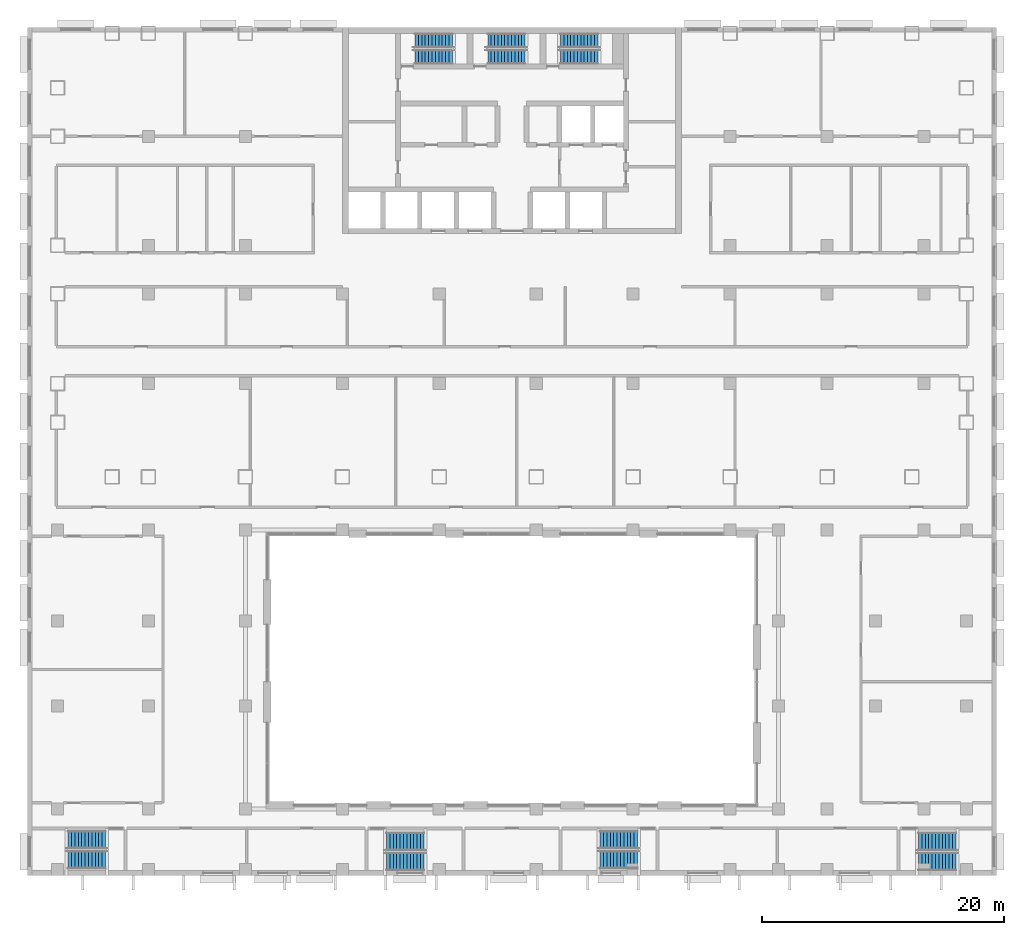
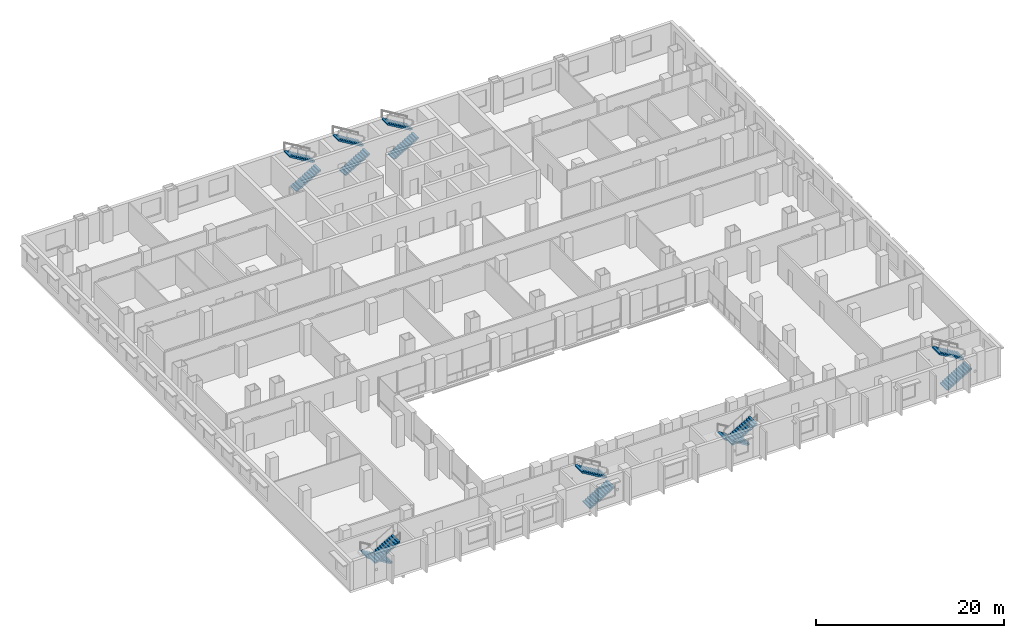
# One storey, part 17 of 25: 14 stair flights, 7 elements without a shape of their own.
"""IFC4 building model written with IfcOpenShell, lengths in metres."""

from ifc_helpers import new_model, si_unit, direction, frame, origin, place, context, subcontext, project, spatial, polyline, outline, extrude, material, type_object, element, aggregate, save


model = new_model("IFC4")

# Units and contexts
model_context = context("Model", 3, precision=1e-05, world=origin(), true_north=direction((0.0, 1.0)))
body_context = subcontext(model_context, "Body", "Model", "MODEL_VIEW")
ifc_project = project(units=[si_unit("LENGTHUNIT", "METRE"), si_unit("AREAUNIT", "SQUARE_METRE"), si_unit("VOLUMEUNIT", "CUBIC_METRE"), si_unit("PLANEANGLEUNIT", "RADIAN"), si_unit("MASSUNIT", "GRAM", prefix="KILO")], contexts=[model_context])

# Site, building, storey
site_placement = place(None, origin())
site = spatial("IfcSite", under=ifc_project, at=site_placement, CompositionType="ELEMENT")
building_placement = place(site_placement, origin())
building = spatial("IfcBuilding", under=site, at=building_placement, Name="Vidyagriha Tower", CompositionType="ELEMENT")
storey_placement = place(building_placement, frame((0.0, 0.0, 10.0)))
storey = spatial("IfcBuildingStorey", under=building, at=storey_placement, Name="L02", CompositionType="ELEMENT", Elevation=10.0)

# Stair, stair flights
ifc_material_1 = material(Name="Concrete C40/50", Category="concrete")
stair_type_1 = type_object("IfcStairType", Name="Exit stair, half-turn, precast flights", PredefinedType="HALF_TURN_STAIR", material=ifc_material_1)
stair_1_placement = place(storey_placement, origin())
stair_1 = element("IfcStair", 1, at=stair_1_placement, inside=storey, type_object=stair_type_1, Name="L02 Exit Stair ST1", PredefinedType="HALF_TURN_STAIR")
ifc_material_2 = material(Name="Precast concrete C40/50", Category="concrete")
stair_flight_type_1 = type_object("IfcStairFlightType", Name="Exit stair flight 1200 mm, precast", PredefinedType="STRAIGHT", material=ifc_material_2)
stair_flight_1_placement = place(storey_placement, frame((-8.0, 17.550048828125, 0.0)))
stair_flight_1 = element("IfcStairFlight", 2, at=stair_flight_1_placement, type_object=stair_flight_type_1, Name="ST1 flight 1", NumberOfRisers=12, NumberOfTreads=11, PredefinedType="STRAIGHT", RiserHeight=0.166666667, TreadLength=0.28, context=body_context, shape_type="SweptSolid", body=[
    extrude(outline(polyline([(0.0, 0.0), (0.0, 0.166748046875), (0.280029296875, 0.166748046875), (0.280029296875, 0.333251953125), (0.56005859375, 0.333251953125), (0.56005859375, 0.5), (0.840087890625, 0.5), (0.840087890625, 0.666748046875), (1.1201171875, 0.666748046875), (1.1201171875, 0.833251953125), (1.39990234375, 0.833251953125), (1.39990234375, 1.0), (1.679931640625, 1.0), (1.679931640625, 1.166748046875), (1.9599609375, 1.166748046875), (1.9599609375, 1.333251953125), (2.239990234375, 1.333251953125), (2.239990234375, 1.5), (2.52001953125, 1.5), (2.52001953125, 1.666748046875), (2.800048828125, 1.666748046875), (2.800048828125, 1.833251953125), (3.080078125, 1.833251953125), (3.080078125, 2.0), (3.080078125, 1.658935546875), (0.29296875, 0.0), (0.0, 0.0)])), frame((0.0, 0.60009765625, 0.0), z_axis=(0.0, -1.0, 0.0), x_axis=(1.0, 0.0, 0.0)), (0.0, 0.0, 1.0), 1.199951171875),
])
stair_flight_2_placement = place(storey_placement, frame((-4.919921875, 18.89990234375, 2.0), z_axis=(0.0, 0.0, 1.0), x_axis=(-1.0, 0.0, 0.0)))
stair_flight_2 = element("IfcStairFlight", 3, at=stair_flight_2_placement, type_object=stair_flight_type_1, Name="ST1 flight 2", NumberOfRisers=12, NumberOfTreads=11, PredefinedType="STRAIGHT", RiserHeight=0.166666667, TreadLength=0.28, context=body_context, shape_type="SweptSolid", body=[
    extrude(outline(polyline([(0.0, 0.0), (0.0, 0.166748046875), (0.280029296875, 0.166748046875), (0.280029296875, 0.333251953125), (0.56005859375, 0.333251953125), (0.56005859375, 0.5), (0.840087890625, 0.5), (0.840087890625, 0.666748046875), (1.1201171875, 0.666748046875), (1.1201171875, 0.833251953125), (1.39990234375, 0.833251953125), (1.39990234375, 1.0), (1.679931640625, 1.0), (1.679931640625, 1.166748046875), (1.9599609375, 1.166748046875), (1.9599609375, 1.333251953125), (2.239990234375, 1.333251953125), (2.239990234375, 1.5), (2.52001953125, 1.5), (2.52001953125, 1.666748046875), (2.800048828125, 1.666748046875), (2.800048828125, 1.833251953125), (3.080078125, 1.833251953125), (3.080078125, 2.0), (3.080078125, 1.658935546875), (0.29296875, 0.0), (0.0, 0.0)])), frame((0.0, 0.60009765625, 0.0), z_axis=(0.0, -1.0, 0.0), x_axis=(1.0, 0.0, 0.0)), (0.0, 0.0, 1.0), 1.199951171875),
])
aggregate(stair_1, [stair_flight_1, stair_flight_2])

stair_2_placement = place(storey_placement, origin())
stair_2 = element("IfcStair", 4, at=stair_2_placement, inside=storey, type_object=stair_type_1, Name="L02 Exit Stair ST2", PredefinedType="HALF_TURN_STAIR")
stair_flight_3_placement = place(storey_placement, frame((-2.0, 17.550048828125, 0.0)))
stair_flight_3 = element("IfcStairFlight", 5, at=stair_flight_3_placement, type_object=stair_flight_type_1, Name="ST2 flight 1", NumberOfRisers=12, NumberOfTreads=11, PredefinedType="STRAIGHT", RiserHeight=0.166666667, TreadLength=0.28, context=body_context, shape_type="SweptSolid", body=[
    extrude(outline(polyline([(0.0, 0.0), (0.0, 0.166748046875), (0.280029296875, 0.166748046875), (0.280029296875, 0.333251953125), (0.56005859375, 0.333251953125), (0.56005859375, 0.5), (0.840087890625, 0.5), (0.840087890625, 0.666748046875), (1.1201171875, 0.666748046875), (1.1201171875, 0.833251953125), (1.39990234375, 0.833251953125), (1.39990234375, 1.0), (1.679931640625, 1.0), (1.679931640625, 1.166748046875), (1.9599609375, 1.166748046875), (1.9599609375, 1.333251953125), (2.239990234375, 1.333251953125), (2.239990234375, 1.5), (2.52001953125, 1.5), (2.52001953125, 1.666748046875), (2.800048828125, 1.666748046875), (2.800048828125, 1.833251953125), (3.080078125, 1.833251953125), (3.080078125, 2.0), (3.080078125, 1.658935546875), (0.29296875, 0.0), (0.0, 0.0)])), frame((0.0, 0.60009765625, 0.0), z_axis=(0.0, -1.0, 0.0), x_axis=(1.0, 0.0, 0.0)), (0.0, 0.0, 1.0), 1.199951171875),
])
stair_flight_4_placement = place(storey_placement, frame((1.080078125, 18.89990234375, 2.0), z_axis=(0.0, 0.0, 1.0), x_axis=(-1.0, 0.0, 0.0)))
stair_flight_4 = element("IfcStairFlight", 6, at=stair_flight_4_placement, type_object=stair_flight_type_1, Name="ST2 flight 2", NumberOfRisers=12, NumberOfTreads=11, PredefinedType="STRAIGHT", RiserHeight=0.166666667, TreadLength=0.28, context=body_context, shape_type="SweptSolid", body=[
    extrude(outline(polyline([(0.0, 0.0), (0.0, 0.166748046875), (0.280029296875, 0.166748046875), (0.280029296875, 0.333251953125), (0.56005859375, 0.333251953125), (0.56005859375, 0.5), (0.840087890625, 0.5), (0.840087890625, 0.666748046875), (1.1201171875, 0.666748046875), (1.1201171875, 0.833251953125), (1.39990234375, 0.833251953125), (1.39990234375, 1.0), (1.679931640625, 1.0), (1.679931640625, 1.166748046875), (1.9599609375, 1.166748046875), (1.9599609375, 1.333251953125), (2.239990234375, 1.333251953125), (2.239990234375, 1.5), (2.52001953125, 1.5), (2.52001953125, 1.666748046875), (2.800048828125, 1.666748046875), (2.800048828125, 1.833251953125), (3.080078125, 1.833251953125), (3.080078125, 2.0), (3.080078125, 1.658935546875), (0.29296875, 0.0), (0.0, 0.0)])), frame((0.0, 0.60009765625, 0.0), z_axis=(0.0, -1.0, 0.0), x_axis=(1.0, 0.0, 0.0)), (0.0, 0.0, 1.0), 1.199951171875),
])
aggregate(stair_2, [stair_flight_3, stair_flight_4])

stair_3_placement = place(storey_placement, origin())
stair_3 = element("IfcStair", 7, at=stair_3_placement, inside=storey, type_object=stair_type_1, Name="L02 Exit Stair ST3", PredefinedType="HALF_TURN_STAIR")
stair_flight_5_placement = place(storey_placement, frame((4.0, 17.550048828125, 0.0)))
stair_flight_5 = element("IfcStairFlight", 8, at=stair_flight_5_placement, type_object=stair_flight_type_1, Name="ST3 flight 1", NumberOfRisers=12, NumberOfTreads=11, PredefinedType="STRAIGHT", RiserHeight=0.166666667, TreadLength=0.28, context=body_context, shape_type="SweptSolid", body=[
    extrude(outline(polyline([(0.0, 0.0), (0.0, 0.166748046875), (0.280029296875, 0.166748046875), (0.280029296875, 0.333251953125), (0.56005859375, 0.333251953125), (0.56005859375, 0.5), (0.840087890625, 0.5), (0.840087890625, 0.666748046875), (1.1201171875, 0.666748046875), (1.1201171875, 0.833251953125), (1.39990234375, 0.833251953125), (1.39990234375, 1.0), (1.679931640625, 1.0), (1.679931640625, 1.166748046875), (1.9599609375, 1.166748046875), (1.9599609375, 1.333251953125), (2.239990234375, 1.333251953125), (2.239990234375, 1.5), (2.52001953125, 1.5), (2.52001953125, 1.666748046875), (2.800048828125, 1.666748046875), (2.800048828125, 1.833251953125), (3.080078125, 1.833251953125), (3.080078125, 2.0), (3.080078125, 1.658935546875), (0.29296875, 0.0), (0.0, 0.0)])), frame((0.0, 0.60009765625, 0.0), z_axis=(0.0, -1.0, 0.0), x_axis=(1.0, 0.0, 0.0)), (0.0, 0.0, 1.0), 1.199951171875),
])
stair_flight_6_placement = place(storey_placement, frame((7.080078125, 18.89990234375, 2.0), z_axis=(0.0, 0.0, 1.0), x_axis=(-1.0, 0.0, 0.0)))
stair_flight_6 = element("IfcStairFlight", 9, at=stair_flight_6_placement, type_object=stair_flight_type_1, Name="ST3 flight 2", NumberOfRisers=12, NumberOfTreads=11, PredefinedType="STRAIGHT", RiserHeight=0.166666667, TreadLength=0.28, context=body_context, shape_type="SweptSolid", body=[
    extrude(outline(polyline([(0.0, 0.0), (0.0, 0.166748046875), (0.280029296875, 0.166748046875), (0.280029296875, 0.333251953125), (0.56005859375, 0.333251953125), (0.56005859375, 0.5), (0.840087890625, 0.5), (0.840087890625, 0.666748046875), (1.1201171875, 0.666748046875), (1.1201171875, 0.833251953125), (1.39990234375, 0.833251953125), (1.39990234375, 1.0), (1.679931640625, 1.0), (1.679931640625, 1.166748046875), (1.9599609375, 1.166748046875), (1.9599609375, 1.333251953125), (2.239990234375, 1.333251953125), (2.239990234375, 1.5), (2.52001953125, 1.5), (2.52001953125, 1.666748046875), (2.800048828125, 1.666748046875), (2.800048828125, 1.833251953125), (3.080078125, 1.833251953125), (3.080078125, 2.0), (3.080078125, 1.658935546875), (0.29296875, 0.0), (0.0, 0.0)])), frame((0.0, 0.60009765625, 0.0), z_axis=(0.0, -1.0, 0.0), x_axis=(1.0, 0.0, 0.0)), (0.0, 0.0, 1.0), 1.199951171875),
])
aggregate(stair_3, [stair_flight_5, stair_flight_6])

ifc_material_3 = material(Name="Concrete C32/40", Category="concrete")
stair_type_2 = type_object("IfcStairType", Name="Podium Exit Stair 1500", PredefinedType="HALF_TURN_STAIR", material=ifc_material_3)
stair_4_placement = place(storey_placement, origin())
stair_4 = element("IfcStair", 10, at=stair_4_placement, inside=storey, type_object=stair_type_2, Name="L02 Exit Stair PS1", PredefinedType="HALF_TURN_STAIR")
ifc_material_4 = material(Name="Concrete C32/40", Category="concrete")
stair_flight_type_2 = type_object("IfcStairFlightType", Name="Podium Stair Flight 1500", PredefinedType="STRAIGHT", material=ifc_material_4)
stair_flight_7_placement = place(storey_placement, frame((-33.544921875, -47.050048828125, 0.0), z_axis=(0.0, 0.0, 1.0), x_axis=(-1.0, 0.0, 0.0)))
stair_flight_7 = element("IfcStairFlight", 11, at=stair_flight_7_placement, type_object=stair_flight_type_2, Name="PS1 flight 1", NumberOfRisers=12, NumberOfTreads=11, PredefinedType="STRAIGHT", RiserHeight=0.166666667, TreadLength=0.28, context=body_context, shape_type="SweptSolid", body=[
    extrude(outline(polyline([(0.0, 0.0), (0.0, 0.166748046875), (0.280029296875, 0.166748046875), (0.280029296875, 0.333251953125), (0.56005859375, 0.333251953125), (0.56005859375, 0.5), (0.840087890625, 0.5), (0.840087890625, 0.666748046875), (1.1201171875, 0.666748046875), (1.1201171875, 0.833251953125), (1.39990234375, 0.833251953125), (1.39990234375, 1.0), (1.679931640625, 1.0), (1.679931640625, 1.166748046875), (1.9599609375, 1.166748046875), (1.9599609375, 1.333251953125), (2.239990234375, 1.333251953125), (2.239990234375, 1.5), (2.52001953125, 1.5), (2.52001953125, 1.666748046875), (2.800048828125, 1.666748046875), (2.800048828125, 1.833251953125), (3.080078125, 1.833251953125), (3.080078125, 2.0), (3.080078125, 1.658935546875), (0.29296875, 0.0), (0.0, 0.0)])), frame((0.0, 0.75, 0.0), z_axis=(0.0, -1.0, 0.0), x_axis=(1.0, 0.0, 0.0)), (0.0, 0.0, 1.0), 1.5),
])
stair_flight_8_placement = place(storey_placement, frame((-36.625, -48.699951171875, 2.0)))
stair_flight_8 = element("IfcStairFlight", 12, at=stair_flight_8_placement, type_object=stair_flight_type_2, Name="PS1 flight 2", NumberOfRisers=12, NumberOfTreads=11, PredefinedType="STRAIGHT", RiserHeight=0.166666667, TreadLength=0.28, context=body_context, shape_type="SweptSolid", body=[
    extrude(outline(polyline([(0.0, 0.0), (0.0, 0.166748046875), (0.280029296875, 0.166748046875), (0.280029296875, 0.333251953125), (0.56005859375, 0.333251953125), (0.56005859375, 0.5), (0.840087890625, 0.5), (0.840087890625, 0.666748046875), (1.1201171875, 0.666748046875), (1.1201171875, 0.833251953125), (1.39990234375, 0.833251953125), (1.39990234375, 1.0), (1.679931640625, 1.0), (1.679931640625, 1.166748046875), (1.9599609375, 1.166748046875), (1.9599609375, 1.333251953125), (2.239990234375, 1.333251953125), (2.239990234375, 1.5), (2.52001953125, 1.5), (2.52001953125, 1.666748046875), (2.800048828125, 1.666748046875), (2.800048828125, 1.833251953125), (3.080078125, 1.833251953125), (3.080078125, 2.0), (3.080078125, 1.658935546875), (0.29296875, 0.0), (0.0, 0.0)])), frame((0.0, 0.75, 0.0), z_axis=(0.0, -1.0, 0.0), x_axis=(1.0, 0.0, 0.0)), (0.0, 0.0, 1.0), 1.5),
])
aggregate(stair_4, [stair_flight_7, stair_flight_8])

stair_5_placement = place(storey_placement, origin())
stair_5 = element("IfcStair", 13, at=stair_5_placement, inside=storey, type_object=stair_type_2, Name="L02 Exit Stair PS2", PredefinedType="HALF_TURN_STAIR")
stair_flight_9_placement = place(storey_placement, frame((33.544921875, -48.85009765625, 0.0)))
stair_flight_9 = element("IfcStairFlight", 14, at=stair_flight_9_placement, type_object=stair_flight_type_2, Name="PS2 flight 1", NumberOfRisers=12, NumberOfTreads=11, PredefinedType="STRAIGHT", RiserHeight=0.166666667, TreadLength=0.28, context=body_context, shape_type="SweptSolid", body=[
    extrude(outline(polyline([(0.0, 0.0), (0.0, 0.166748046875), (0.280029296875, 0.166748046875), (0.280029296875, 0.333251953125), (0.56005859375, 0.333251953125), (0.56005859375, 0.5), (0.840087890625, 0.5), (0.840087890625, 0.666748046875), (1.1201171875, 0.666748046875), (1.1201171875, 0.833251953125), (1.39990234375, 0.833251953125), (1.39990234375, 1.0), (1.679931640625, 1.0), (1.679931640625, 1.166748046875), (1.9599609375, 1.166748046875), (1.9599609375, 1.333251953125), (2.239990234375, 1.333251953125), (2.239990234375, 1.5), (2.52001953125, 1.5), (2.52001953125, 1.666748046875), (2.800048828125, 1.666748046875), (2.800048828125, 1.833251953125), (3.080078125, 1.833251953125), (3.080078125, 2.0), (3.080078125, 1.658935546875), (0.29296875, 0.0), (0.0, 0.0)])), frame((0.0, 0.75, 0.0), z_axis=(0.0, -1.0, 0.0), x_axis=(1.0, 0.0, 0.0)), (0.0, 0.0, 1.0), 1.5),
])
stair_flight_10_placement = place(storey_placement, frame((36.625, -47.199951171875, 2.0), z_axis=(0.0, 0.0, 1.0), x_axis=(-1.0, 0.0, 0.0)))
stair_flight_10 = element("IfcStairFlight", 15, at=stair_flight_10_placement, type_object=stair_flight_type_2, Name="PS2 flight 2", NumberOfRisers=12, NumberOfTreads=11, PredefinedType="STRAIGHT", RiserHeight=0.166666667, TreadLength=0.28, context=body_context, shape_type="SweptSolid", body=[
    extrude(outline(polyline([(0.0, 0.0), (0.0, 0.166748046875), (0.280029296875, 0.166748046875), (0.280029296875, 0.333251953125), (0.56005859375, 0.333251953125), (0.56005859375, 0.5), (0.840087890625, 0.5), (0.840087890625, 0.666748046875), (1.1201171875, 0.666748046875), (1.1201171875, 0.833251953125), (1.39990234375, 0.833251953125), (1.39990234375, 1.0), (1.679931640625, 1.0), (1.679931640625, 1.166748046875), (1.9599609375, 1.166748046875), (1.9599609375, 1.333251953125), (2.239990234375, 1.333251953125), (2.239990234375, 1.5), (2.52001953125, 1.5), (2.52001953125, 1.666748046875), (2.800048828125, 1.666748046875), (2.800048828125, 1.833251953125), (3.080078125, 1.833251953125), (3.080078125, 2.0), (3.080078125, 1.658935546875), (0.29296875, 0.0), (0.0, 0.0)])), frame((0.0, 0.75, 0.0), z_axis=(0.0, -1.0, 0.0), x_axis=(1.0, 0.0, 0.0)), (0.0, 0.0, 1.0), 1.5),
])
aggregate(stair_5, [stair_flight_9, stair_flight_10])

stair_6_placement = place(storey_placement, origin())
stair_6 = element("IfcStair", 16, at=stair_6_placement, inside=storey, type_object=stair_type_2, Name="L02 Exit Stair PS3", PredefinedType="HALF_TURN_STAIR")
stair_flight_11_placement = place(storey_placement, frame((-10.35498046875, -48.85009765625, 0.0)))
stair_flight_11 = element("IfcStairFlight", 17, at=stair_flight_11_placement, type_object=stair_flight_type_2, Name="PS3 flight 1", NumberOfRisers=12, NumberOfTreads=11, PredefinedType="STRAIGHT", RiserHeight=0.166666667, TreadLength=0.28, context=body_context, shape_type="SweptSolid", body=[
    extrude(outline(polyline([(0.0, 0.0), (0.0, 0.166748046875), (0.280029296875, 0.166748046875), (0.280029296875, 0.333251953125), (0.56005859375, 0.333251953125), (0.56005859375, 0.5), (0.840087890625, 0.5), (0.840087890625, 0.666748046875), (1.1201171875, 0.666748046875), (1.1201171875, 0.833251953125), (1.39990234375, 0.833251953125), (1.39990234375, 1.0), (1.679931640625, 1.0), (1.679931640625, 1.166748046875), (1.9599609375, 1.166748046875), (1.9599609375, 1.333251953125), (2.239990234375, 1.333251953125), (2.239990234375, 1.5), (2.52001953125, 1.5), (2.52001953125, 1.666748046875), (2.800048828125, 1.666748046875), (2.800048828125, 1.833251953125), (3.080078125, 1.833251953125), (3.080078125, 2.0), (3.080078125, 1.658935546875), (0.29296875, 0.0), (0.0, 0.0)])), frame((0.0, 0.75, 0.0), z_axis=(0.0, -1.0, 0.0), x_axis=(1.0, 0.0, 0.0)), (0.0, 0.0, 1.0), 1.5),
])
stair_flight_12_placement = place(storey_placement, frame((-7.27490234375, -47.199951171875, 2.0), z_axis=(0.0, 0.0, 1.0), x_axis=(-1.0, 0.0, 0.0)))
stair_flight_12 = element("IfcStairFlight", 18, at=stair_flight_12_placement, type_object=stair_flight_type_2, Name="PS3 flight 2", NumberOfRisers=12, NumberOfTreads=11, PredefinedType="STRAIGHT", RiserHeight=0.166666667, TreadLength=0.28, context=body_context, shape_type="SweptSolid", body=[
    extrude(outline(polyline([(0.0, 0.0), (0.0, 0.166748046875), (0.280029296875, 0.166748046875), (0.280029296875, 0.333251953125), (0.56005859375, 0.333251953125), (0.56005859375, 0.5), (0.840087890625, 0.5), (0.840087890625, 0.666748046875), (1.1201171875, 0.666748046875), (1.1201171875, 0.833251953125), (1.39990234375, 0.833251953125), (1.39990234375, 1.0), (1.679931640625, 1.0), (1.679931640625, 1.166748046875), (1.9599609375, 1.166748046875), (1.9599609375, 1.333251953125), (2.239990234375, 1.333251953125), (2.239990234375, 1.5), (2.52001953125, 1.5), (2.52001953125, 1.666748046875), (2.800048828125, 1.666748046875), (2.800048828125, 1.833251953125), (3.080078125, 1.833251953125), (3.080078125, 2.0), (3.080078125, 1.658935546875), (0.29296875, 0.0), (0.0, 0.0)])), frame((0.0, 0.75, 0.0), z_axis=(0.0, -1.0, 0.0), x_axis=(1.0, 0.0, 0.0)), (0.0, 0.0, 1.0), 1.5),
])
aggregate(stair_6, [stair_flight_11, stair_flight_12])

stair_7_placement = place(storey_placement, origin())
stair_7 = element("IfcStair", 19, at=stair_7_placement, inside=storey, type_object=stair_type_2, Name="L02 Exit Stair PS4", PredefinedType="HALF_TURN_STAIR")
stair_flight_13_placement = place(storey_placement, frame((10.35498046875, -47.050048828125, 0.0), z_axis=(0.0, 0.0, 1.0), x_axis=(-1.0, 0.0, 0.0)))
stair_flight_13 = element("IfcStairFlight", 20, at=stair_flight_13_placement, type_object=stair_flight_type_2, Name="PS4 flight 1", NumberOfRisers=12, NumberOfTreads=11, PredefinedType="STRAIGHT", RiserHeight=0.166666667, TreadLength=0.28, context=body_context, shape_type="SweptSolid", body=[
    extrude(outline(polyline([(0.0, 0.0), (0.0, 0.166748046875), (0.280029296875, 0.166748046875), (0.280029296875, 0.333251953125), (0.56005859375, 0.333251953125), (0.56005859375, 0.5), (0.840087890625, 0.5), (0.840087890625, 0.666748046875), (1.1201171875, 0.666748046875), (1.1201171875, 0.833251953125), (1.39990234375, 0.833251953125), (1.39990234375, 1.0), (1.679931640625, 1.0), (1.679931640625, 1.166748046875), (1.9599609375, 1.166748046875), (1.9599609375, 1.333251953125), (2.239990234375, 1.333251953125), (2.239990234375, 1.5), (2.52001953125, 1.5), (2.52001953125, 1.666748046875), (2.800048828125, 1.666748046875), (2.800048828125, 1.833251953125), (3.080078125, 1.833251953125), (3.080078125, 2.0), (3.080078125, 1.658935546875), (0.29296875, 0.0), (0.0, 0.0)])), frame((0.0, 0.75, 0.0), z_axis=(0.0, -1.0, 0.0), x_axis=(1.0, 0.0, 0.0)), (0.0, 0.0, 1.0), 1.5),
])
stair_flight_14_placement = place(storey_placement, frame((7.27490234375, -48.699951171875, 2.0)))
stair_flight_14 = element("IfcStairFlight", 21, at=stair_flight_14_placement, type_object=stair_flight_type_2, Name="PS4 flight 2", NumberOfRisers=12, NumberOfTreads=11, PredefinedType="STRAIGHT", RiserHeight=0.166666667, TreadLength=0.28, context=body_context, shape_type="SweptSolid", body=[
    extrude(outline(polyline([(0.0, 0.0), (0.0, 0.166748046875), (0.280029296875, 0.166748046875), (0.280029296875, 0.333251953125), (0.56005859375, 0.333251953125), (0.56005859375, 0.5), (0.840087890625, 0.5), (0.840087890625, 0.666748046875), (1.1201171875, 0.666748046875), (1.1201171875, 0.833251953125), (1.39990234375, 0.833251953125), (1.39990234375, 1.0), (1.679931640625, 1.0), (1.679931640625, 1.166748046875), (1.9599609375, 1.166748046875), (1.9599609375, 1.333251953125), (2.239990234375, 1.333251953125), (2.239990234375, 1.5), (2.52001953125, 1.5), (2.52001953125, 1.666748046875), (2.800048828125, 1.666748046875), (2.800048828125, 1.833251953125), (3.080078125, 1.833251953125), (3.080078125, 2.0), (3.080078125, 1.658935546875), (0.29296875, 0.0), (0.0, 0.0)])), frame((0.0, 0.75, 0.0), z_axis=(0.0, -1.0, 0.0), x_axis=(1.0, 0.0, 0.0)), (0.0, 0.0, 1.0), 1.5),
])
aggregate(stair_7, [stair_flight_13, stair_flight_14])

save(model, "model.ifc")
